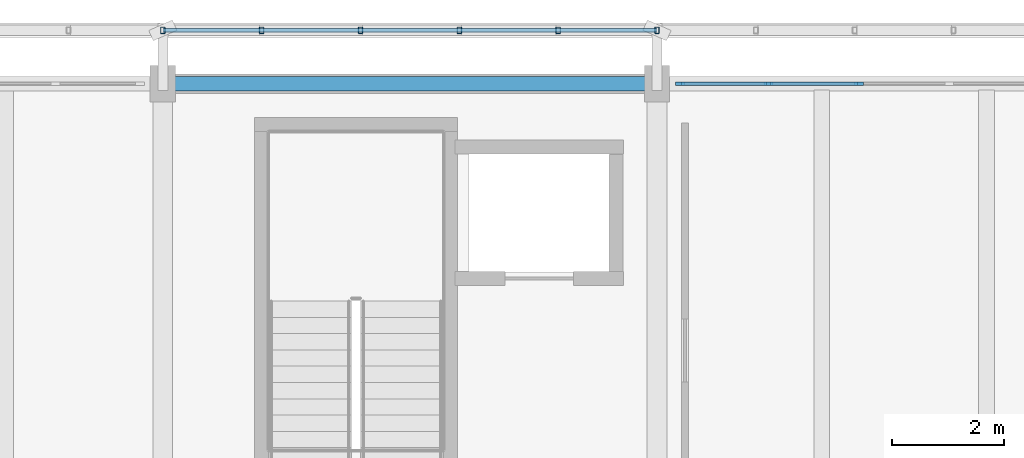
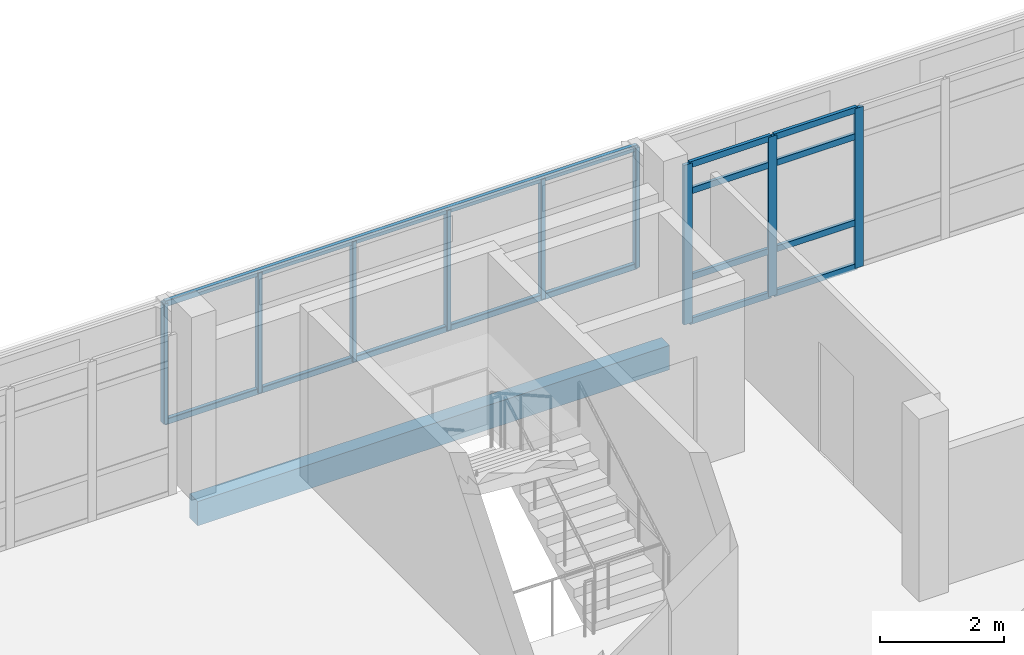
# One storey, part 11 of 30: 19 members, 1 beam, 1 element without a shape of its own.
"""IFC4 building model written with IfcOpenShell, lengths in metres."""

import ifcopenshell
import ifcopenshell.guid

model = None  # the IFC model being written
_history = None  # IfcOwnerHistory: only IFC2X3 demands one
_inside = {}  # id of a spatial element -> (the spatial element, [elements in it])
_under = {}  # id of a project, library or spatial element -> (it, [spatial elements below it])
_declared = {}  # id of a project -> (the project, [libraries it declares])
_typed = {}  # id of a type object -> (the type object, [elements of that type])
_made_of = {}  # id of a material, layer set ... -> (it, [elements and type objects made of it])


def new_model(schema):
    """Start an empty IFC model of exactly this schema.

    Asked for "IFC4X3", IfcOpenShell would pick the latest addendum, in which some entities
    have other attributes; the version numbers below select the first issue.
    IFC2X3 requires an IfcOwnerHistory on every rooted entity: one is made here for all.
    """
    global model, _history
    if schema == "IFC4X3":
        model = ifcopenshell.file(schema_version=(4, 3, 0, 0))
    else:
        model = ifcopenshell.file(schema=schema)
    _inside.clear()
    _under.clear()
    _declared.clear()
    _typed.clear()
    _made_of.clear()
    _history = None
    if model.schema == "IFC2X3":
        org = make("IfcOrganization", Name="unknown")
        user = make(
            "IfcPersonAndOrganization",
            ThePerson=make("IfcPerson", FamilyName="unknown"),
            TheOrganization=org,
        )
        app = make(
            "IfcApplication",
            ApplicationDeveloper=org,
            Version="unknown",
            ApplicationFullName="unknown",
            ApplicationIdentifier="unknown",
        )
        _history = make(
            "IfcOwnerHistory",
            OwningUser=user,
            OwningApplication=app,
            ChangeAction="ADDED",
            CreationDate=0,
        )
    return model


def make(cls, **values):
    """One entity of the class cls with the attributes given. An attribute that is None is left unset."""
    return model.create_entity(
        cls, **{name: value for name, value in values.items() if value is not None}
    )


def rooted(cls, **values):
    """An entity with a GlobalId (a new one), such as an element, a storey or a relation."""
    return make(cls, GlobalId=ifcopenshell.guid.new(), OwnerHistory=_history, **values)


def si_unit(unit_type, name, prefix=None):
    """IfcSIUnit, for example si_unit("LENGTHUNIT", "METRE", prefix="MILLI")."""
    return make("IfcSIUnit", UnitType=unit_type, Prefix=prefix, Name=name)


def assignment(units):
    """IfcUnitAssignment: the units of a project."""
    return None if units is None else make("IfcUnitAssignment", Units=units)


def point(xyz):
    """IfcCartesianPoint."""
    return None if xyz is None else make("IfcCartesianPoint", Coordinates=xyz)


def direction(xyz):
    """IfcDirection."""
    return None if xyz is None else make("IfcDirection", DirectionRatios=xyz)


def frame(location, z_axis=None, x_axis=None):
    """IfcAxis2Placement3D, a coordinate frame: its origin and axes. An axis left out is left unset."""
    return make(
        "IfcAxis2Placement3D",
        Location=point(location),
        Axis=direction(z_axis),
        RefDirection=direction(x_axis),
    )


def frame_2d(location, x_axis=None):
    """IfcAxis2Placement2D, a coordinate frame in the plane: its origin and x axis."""
    return make(
        "IfcAxis2Placement2D", Location=point(location), RefDirection=direction(x_axis)
    )


def origin():
    """The frame at (0, 0, 0) with its axes left unset."""
    return frame((0.0, 0.0, 0.0))


def origin_2d():
    """The frame at (0, 0) in the plane with its x axis left unset."""
    return frame_2d((0.0, 0.0))


def place(relative_to, where):
    """IfcLocalPlacement: puts the frame where relative to a parent placement (None: the world)."""
    return make(
        "IfcLocalPlacement", PlacementRelTo=relative_to, RelativePlacement=where
    )


def context(
    kind, dimensions, precision=None, world=None, true_north=None, identifier=None
):
    """IfcGeometricRepresentationContext, for example the 3D "Model" context."""
    return make(
        "IfcGeometricRepresentationContext",
        ContextIdentifier=identifier,
        ContextType=kind,
        CoordinateSpaceDimension=dimensions,
        Precision=precision,
        WorldCoordinateSystem=world,
        TrueNorth=true_north,
    )


def subcontext(parent, identifier, kind, view, scale=None):
    """IfcGeometricRepresentationSubContext, for example "Body" below "Model"."""
    return make(
        "IfcGeometricRepresentationSubContext",
        ContextIdentifier=identifier,
        ContextType=kind,
        ParentContext=parent,
        TargetScale=scale,
        TargetView=view,
    )


def project(units=None, contexts=None):
    """IfcProject with its units and contexts."""
    return rooted(
        "IfcProject",
        Name="project",
        RepresentationContexts=contexts,
        UnitsInContext=assignment(units),
    )


def spatial(cls, under=None, at=None, **own):
    """A site, building, storey or space (cls), placed at a placement, below another one or the project."""
    s = rooted(cls, ObjectPlacement=at, **own)
    if under is not None:
        _under.setdefault(under.id(), (under, []))[1].append(s)
    return s


def profile(cls, at=None, kind="AREA", **sizes):
    """A parametric profile (cls). Its sizes go by their IFC names, for example OverallWidth=200.0."""
    return make(cls, ProfileType=kind, Position=at, **sizes)


def rectangle(**sizes):
    """IfcRectangleProfileDef."""
    return profile("IfcRectangleProfileDef", **sizes)


def hollow_rectangle(**sizes):
    """IfcRectangleHollowProfileDef."""
    return profile("IfcRectangleHollowProfileDef", **sizes)


def extrude(swept, where, along, depth):
    """IfcExtrudedAreaSolid: the profile swept, set in the frame where, extruded along a direction by depth."""
    return make(
        "IfcExtrudedAreaSolid",
        SweptArea=swept,
        Position=where,
        ExtrudedDirection=direction(along),
        Depth=depth,
    )


def shape(context_of_items, identifier, shape_type, items):
    """IfcShapeRepresentation: the items that make up one representation, for example the "Body"."""
    return make(
        "IfcShapeRepresentation",
        ContextOfItems=context_of_items,
        RepresentationIdentifier=identifier,
        RepresentationType=shape_type,
        Items=items,
    )


def material(Name=None, Category=None):
    """IfcMaterial."""
    return make("IfcMaterial", Name=Name, Category=Category)


def material_profile(
    of_material, cross_section, Name=None, Category=None, Priority=None
):
    """IfcMaterialProfile: a cross section and its material."""
    return make(
        "IfcMaterialProfile",
        Name=Name,
        Material=of_material,
        Profile=cross_section,
        Priority=Priority,
        Category=Category,
    )


def profile_set(profiles, Name=None, composite=None):
    """IfcMaterialProfileSet."""
    return make(
        "IfcMaterialProfileSet",
        Name=Name,
        MaterialProfiles=profiles,
        CompositeProfile=composite,
    )


def made_of(thing, what):
    """Note that an element or type object is made of a material, layer set ...; save() writes the relation."""
    if what is not None:
        _made_of.setdefault(what.id(), (what, []))[1].append(thing)
    return thing


def type_object(cls, material=None, **own):
    """A type object (cls), such as IfcWallType, which elements share."""
    return made_of(rooted(cls, **own), material)


def element(
    cls,
    number,
    at=None,
    inside=None,
    cuts=None,
    type_object=None,
    material=None,
    context=None,
    identifier="Body",
    shape_type=None,
    held_by="IfcProductDefinitionShape",
    body=None,
    shapes=None,
    **own,
):
    """One element of the class cls, such as IfcWall. Its Tag is "e" and its number.

    at: its placement. inside: the storey or other place that contains it. cuts: it is an
    opening in that element (IfcRelVoidsElement). A single representation is given by context,
    identifier, shape_type and body (its items); several are given by shapes. held_by: the class
    of the entity that holds the representations. save() writes the other relations.
    """
    e = rooted(cls, Tag="e%d" % number, ObjectPlacement=at, **own)
    if body is not None:
        shapes = [shape(context, identifier, shape_type, body)]
    if shapes is not None:
        e.Representation = make(held_by, Representations=shapes)
    if inside is not None:
        _inside.setdefault(inside.id(), (inside, []))[1].append(e)
    if cuts is not None:
        rooted(
            "IfcRelVoidsElement", RelatingBuildingElement=cuts, RelatedOpeningElement=e
        )
    if type_object is not None:
        _typed.setdefault(type_object.id(), (type_object, []))[1].append(e)
    return made_of(e, material)


def aggregate(whole, parts):
    """IfcRelAggregates: a whole, such as a stair, and the parts it consists of."""
    return rooted("IfcRelAggregates", RelatingObject=whole, RelatedObjects=parts)


def save(model, path):
    """Write the relations noted so far, then the file.

    IfcRelAggregates (storeys below a building ...), IfcRelContainedInSpatialStructure (elements
    in a storey), IfcRelDefinesByType, IfcRelAssociatesMaterial and IfcRelDeclares: one each for
    every whole, place, type object, material and project.
    """
    for whole, parts in _under.values():
        aggregate(whole, parts)
    for where, things in _inside.values():
        rooted(
            "IfcRelContainedInSpatialStructure",
            RelatedElements=things,
            RelatingStructure=where,
        )
    for kind, things in _typed.values():
        rooted("IfcRelDefinesByType", RelatedObjects=things, RelatingType=kind)
    for what, things in _made_of.values():
        rooted("IfcRelAssociatesMaterial", RelatedObjects=things, RelatingMaterial=what)
    for by, libraries in _declared.values():
        rooted("IfcRelDeclares", RelatingContext=by, RelatedDefinitions=libraries)
    model.write(path)


model = new_model("IFC4")

# Units and contexts
model_context = context("Model", 3, precision=1e-05, world=origin(), true_north=direction((0.0, 1.0)))
body_context = subcontext(model_context, "Body", "Model", "MODEL_VIEW")
ifc_project = project(units=[si_unit("LENGTHUNIT", "METRE"), si_unit("AREAUNIT", "SQUARE_METRE"), si_unit("VOLUMEUNIT", "CUBIC_METRE"), si_unit("PLANEANGLEUNIT", "RADIAN"), si_unit("MASSUNIT", "GRAM", prefix="KILO")], contexts=[model_context])

# Site, building, storey
site_placement = place(None, origin())
site = spatial("IfcSite", under=ifc_project, at=site_placement, CompositionType="ELEMENT")
building_placement = place(site_placement, origin())
building = spatial("IfcBuilding", under=site, at=building_placement, Name="Cinderway Yard Community Centre", CompositionType="ELEMENT")
storey_placement = place(building_placement, frame((0.0, 0.0, 16.5)))
storey = spatial("IfcBuildingStorey", under=building, at=storey_placement, Name="L04", CompositionType="ELEMENT", Elevation=16.5)

# Curtain wall, members
ifc_material_1 = material(Name="Aluminium 6063-T6", Category="aluminium")
curtain_wall_type = type_object("IfcCurtainWallType", Name="ENV-CW-TYPE-33", PredefinedType="USERDEFINED", material=ifc_material_1)
curtain_wall_placement = place(storey_placement, origin())
curtain_wall = element("IfcCurtainWall", 1, at=curtain_wall_placement, inside=storey, type_object=curtain_wall_type, Name="V4 Street Curtain Wall ENV-CW-L04-ST-0181", ObjectType="GLAZED CURTAIN WALL", PredefinedType="USERDEFINED")
ifc_material_profile_1 = material_profile(ifc_material_1, rectangle(XDim=0.06005859375, YDim=0.159912109375, at=origin_2d()), Name="Aluminium 6063-T6")
ifc_profile_set_1 = profile_set([ifc_material_profile_1], Name="Aluminium 6063-T6")
member_type_1 = type_object("IfcMemberType", Name="ENV-CW-MULL-150", PredefinedType="MULLION", material=ifc_profile_set_1)
member_1_placement = place(storey_placement, frame((84.409912109375, 115.199951171875, 0.0), z_axis=(0.0, 0.0, 1.0), x_axis=(0.0, 1.0, 0.0)))
member_1 = element("IfcMember", 2, at=member_1_placement, type_object=member_type_1, Name="CW-33 mullion 1", PredefinedType="MULLION", context=body_context, shape_type="SweptSolid", body=[
    extrude(rectangle(XDim=0.06005859375, YDim=0.159912109375, at=origin_2d()), origin(), (0.0, 0.0, 1.0), 3.14990234375),
])
member_2_placement = place(storey_placement, frame((85.988037109375, 115.199951171875, 0.0), z_axis=(0.0, 0.0, 1.0), x_axis=(0.0, 1.0, 0.0)))
member_2 = element("IfcMember", 3, at=member_2_placement, type_object=member_type_1, Name="CW-33 mullion 2", PredefinedType="MULLION", context=body_context, shape_type="SweptSolid", body=[
    extrude(rectangle(XDim=0.06005859375, YDim=0.159912109375, at=origin_2d()), origin(), (0.0, 0.0, 1.0), 3.14990234375),
])
member_3_placement = place(storey_placement, frame((87.595947265625, 115.199951171875, 0.0), z_axis=(0.0, 0.0, 1.0), x_axis=(0.0, 1.0, 0.0)))
member_3 = element("IfcMember", 4, at=member_3_placement, type_object=member_type_1, Name="CW-33 mullion 3", PredefinedType="MULLION", context=body_context, shape_type="SweptSolid", body=[
    extrude(rectangle(XDim=0.06005859375, YDim=0.159912109375, at=origin_2d()), origin(), (0.0, 0.0, 1.0), 3.14990234375),
])
ifc_material_profile_2 = material_profile(ifc_material_1, rectangle(XDim=0.06005859375, YDim=0.1201171875, at=origin_2d()), Name="Aluminium 6063-T6")
ifc_profile_set_2 = profile_set([ifc_material_profile_2], Name="Aluminium 6063-T6")
member_type_2 = type_object("IfcMemberType", Name="ENV-CW-TRAN-110", PredefinedType="USERDEFINED", material=ifc_profile_set_2)
member_4_placement = place(storey_placement, frame((84.43994140625, 115.199951171875, 0.030029296875), z_axis=(1.0, 0.0, 0.0), x_axis=(0.0, 1.0, 0.0)))
member_4 = element("IfcMember", 5, at=member_4_placement, type_object=member_type_2, Name="CW-33 transom 1.1", ObjectType="TRANSOM", PredefinedType="USERDEFINED", context=body_context, shape_type="SweptSolid", body=[
    extrude(rectangle(XDim=0.06005859375, YDim=0.1201171875, at=origin_2d()), origin(), (0.0, 0.0, 1.0), 1.51806640625),
])
member_5_placement = place(storey_placement, frame((84.43994140625, 115.199951171875, 0.89990234375), z_axis=(1.0, 0.0, 0.0), x_axis=(0.0, 1.0, 0.0)))
member_5 = element("IfcMember", 6, at=member_5_placement, type_object=member_type_2, Name="CW-33 transom 1.2", ObjectType="TRANSOM", PredefinedType="USERDEFINED", context=body_context, shape_type="SweptSolid", body=[
    extrude(rectangle(XDim=0.06005859375, YDim=0.1201171875, at=origin_2d()), origin(), (0.0, 0.0, 1.0), 1.51806640625),
])
member_6_placement = place(storey_placement, frame((84.43994140625, 115.199951171875, 2.60009765625), z_axis=(1.0, 0.0, 0.0), x_axis=(0.0, 1.0, 0.0)))
member_6 = element("IfcMember", 7, at=member_6_placement, type_object=member_type_2, Name="CW-33 transom 1.3", ObjectType="TRANSOM", PredefinedType="USERDEFINED", context=body_context, shape_type="SweptSolid", body=[
    extrude(rectangle(XDim=0.06005859375, YDim=0.1201171875, at=origin_2d()), origin(), (0.0, 0.0, 1.0), 1.51806640625),
])
member_7_placement = place(storey_placement, frame((84.43994140625, 115.199951171875, 3.1201171875), z_axis=(1.0, 0.0, 0.0), x_axis=(0.0, 1.0, 0.0)))
member_7 = element("IfcMember", 8, at=member_7_placement, type_object=member_type_2, Name="CW-33 transom 1.4", ObjectType="TRANSOM", PredefinedType="USERDEFINED", context=body_context, shape_type="SweptSolid", body=[
    extrude(rectangle(XDim=0.06005859375, YDim=0.1201171875, at=origin_2d()), origin(), (0.0, 0.0, 1.0), 1.51806640625),
])
member_8_placement = place(storey_placement, frame((86.01806640625, 115.199951171875, 0.030029296875), z_axis=(1.0, 0.0, 0.0), x_axis=(0.0, 1.0, 0.0)))
member_8 = element("IfcMember", 9, at=member_8_placement, type_object=member_type_2, Name="CW-33 transom 2.1", ObjectType="TRANSOM", PredefinedType="USERDEFINED", context=body_context, shape_type="SweptSolid", body=[
    extrude(rectangle(XDim=0.06005859375, YDim=0.1201171875, at=origin_2d()), origin(), (0.0, 0.0, 1.0), 1.5478515625),
])
member_9_placement = place(storey_placement, frame((86.01806640625, 115.199951171875, 0.89990234375), z_axis=(1.0, 0.0, 0.0), x_axis=(0.0, 1.0, 0.0)))
member_9 = element("IfcMember", 10, at=member_9_placement, type_object=member_type_2, Name="CW-33 transom 2.2", ObjectType="TRANSOM", PredefinedType="USERDEFINED", context=body_context, shape_type="SweptSolid", body=[
    extrude(rectangle(XDim=0.06005859375, YDim=0.1201171875, at=origin_2d()), origin(), (0.0, 0.0, 1.0), 1.5478515625),
])
member_10_placement = place(storey_placement, frame((86.01806640625, 115.199951171875, 2.60009765625), z_axis=(1.0, 0.0, 0.0), x_axis=(0.0, 1.0, 0.0)))
member_10 = element("IfcMember", 11, at=member_10_placement, type_object=member_type_2, Name="CW-33 transom 2.3", ObjectType="TRANSOM", PredefinedType="USERDEFINED", context=body_context, shape_type="SweptSolid", body=[
    extrude(rectangle(XDim=0.06005859375, YDim=0.1201171875, at=origin_2d()), origin(), (0.0, 0.0, 1.0), 1.5478515625),
])
member_11_placement = place(storey_placement, frame((86.01806640625, 115.199951171875, 3.1201171875), z_axis=(1.0, 0.0, 0.0), x_axis=(0.0, 1.0, 0.0)))
member_11 = element("IfcMember", 12, at=member_11_placement, type_object=member_type_2, Name="CW-33 transom 2.4", ObjectType="TRANSOM", PredefinedType="USERDEFINED", context=body_context, shape_type="SweptSolid", body=[
    extrude(rectangle(XDim=0.06005859375, YDim=0.1201171875, at=origin_2d()), origin(), (0.0, 0.0, 1.0), 1.5478515625),
])
aggregate(curtain_wall, [member_1, member_2, member_3, member_4, member_5, member_6, member_7, member_8, member_9, member_10, member_11])

# Members
ifc_material_2 = material(Name="Steel S355", Category="steel")
ifc_material_profile_3 = material_profile(ifc_material_2, hollow_rectangle(XDim=0.080078125, YDim=0.1201171875, WallThickness=0.00634765625, InnerFilletRadius=0.00634765625, OuterFilletRadius=0.0126953125, at=origin_2d()), Name="Steel S355")
ifc_profile_set_3 = profile_set([ifc_material_profile_3], Name="Steel S355")
member_type_3 = type_object("IfcMemberType", Name="ENV-MEM-SCREEN-RAIL-120", PredefinedType="STRINGER", material=ifc_profile_set_3)
member_12_placement = place(storey_placement, frame((75.199951171875, 116.14990234375, 0.68994140625), z_axis=(0.0, 0.0, 1.0), x_axis=(1.0, 0.0, 0.0)))
element("IfcMember", 13, at=member_12_placement, inside=storey, type_object=member_type_3, Name="Screen vertical mullion 0275", PredefinedType="STRINGER", context=body_context, shape_type="SweptSolid", body=[
    extrude(hollow_rectangle(XDim=0.080078125, YDim=0.1201171875, WallThickness=0.00634765625, InnerFilletRadius=0.00634765625, OuterFilletRadius=0.0126953125, at=origin_2d()), origin(), (0.0, 0.0, 1.0), 2.3701171875),
])
for number, where, z_axis, x_axis, name in (
    (14, (75.199951171875, 116.14990234375, 0.7099609375), (1.0, 0.0, 0.0), (0.0, 1.0, 0.0), "Screen support rail 0277-BOT"),
    (15, (75.199951171875, 116.14990234375, 3.0400390625), (1.0, 0.0, 0.0), (0.0, 1.0, 0.0), "Screen support rail 0278-TOP"),
):
    element("IfcMember", number, at=place(storey_placement, frame(where, z_axis=z_axis, x_axis=x_axis)), inside=storey, type_object=member_type_3, Name=name, PredefinedType="STRINGER", context=body_context, shape_type="SweptSolid", body=[
        extrude(hollow_rectangle(XDim=0.080078125, YDim=0.1201171875, WallThickness=0.00634765625, InnerFilletRadius=0.00634765625, OuterFilletRadius=0.0126953125, at=origin_2d()), origin(), (0.0, 0.0, 1.0), 8.800048828125),
    ])
for number, where, z_axis, x_axis, name in (
    (16, (76.9599609375, 116.14990234375, 0.68994140625), (0.0, 0.0, 1.0), (1.0, 0.0, 0.0), "Screen vertical mullion 0279"),
    (17, (78.719970703125, 116.14990234375, 0.68994140625), (0.0, 0.0, 1.0), (1.0, 0.0, 0.0), "Screen vertical mullion 0280"),
    (18, (80.47998046875, 116.14990234375, 0.68994140625), (0.0, 0.0, 1.0), (1.0, 0.0, 0.0), "Screen vertical mullion 0281"),
    (19, (82.239990234375, 116.14990234375, 0.68994140625), (0.0, 0.0, 1.0), (1.0, 0.0, 0.0), "Screen vertical mullion 0282"),
    (20, (84.0, 116.14990234375, 0.68994140625), (0.0, 0.0, 1.0), (1.0, 0.0, 0.0), "Screen vertical mullion 0283"),
):
    element("IfcMember", number, at=place(storey_placement, frame(where, z_axis=z_axis, x_axis=x_axis)), inside=storey, type_object=member_type_3, Name=name, PredefinedType="STRINGER", context=body_context, shape_type="SweptSolid", body=[
        extrude(hollow_rectangle(XDim=0.080078125, YDim=0.1201171875, WallThickness=0.00634765625, InnerFilletRadius=0.00634765625, OuterFilletRadius=0.0126953125, at=origin_2d()), origin(), (0.0, 0.0, 1.0), 2.3701171875),
    ])

# Beam
ifc_material_3 = material(Name="Concrete C40/50", Category="concrete")
ifc_material_profile_4 = material_profile(ifc_material_3, rectangle(XDim=0.260009765625, YDim=0.47998046875, at=origin_2d()), Name="Concrete C40/50")
ifc_profile_set_4 = profile_set([ifc_material_profile_4], Name="Concrete C40/50")
beam_type = type_object("IfcBeamType", Name="STR-BM-RC260X480", PredefinedType="SPANDREL", material=ifc_profile_set_4)
beam_placement = place(storey_placement, frame((75.199951171875, 115.199951171875, -0.4599609375), z_axis=(1.0, 0.0, 0.0), x_axis=(0.0, 1.0, 0.0)))
element("IfcBeam", 21, at=beam_placement, inside=storey, type_object=beam_type, Name="Primary girder STR-BM-L04-SP01-0836", PredefinedType="SPANDREL", context=body_context, shape_type="SweptSolid", body=[
    extrude(rectangle(XDim=0.260009765625, YDim=0.47998046875, at=origin_2d()), origin(), (0.0, 0.0, 1.0), 8.800048828125),
])

save(model, "model.ifc")
